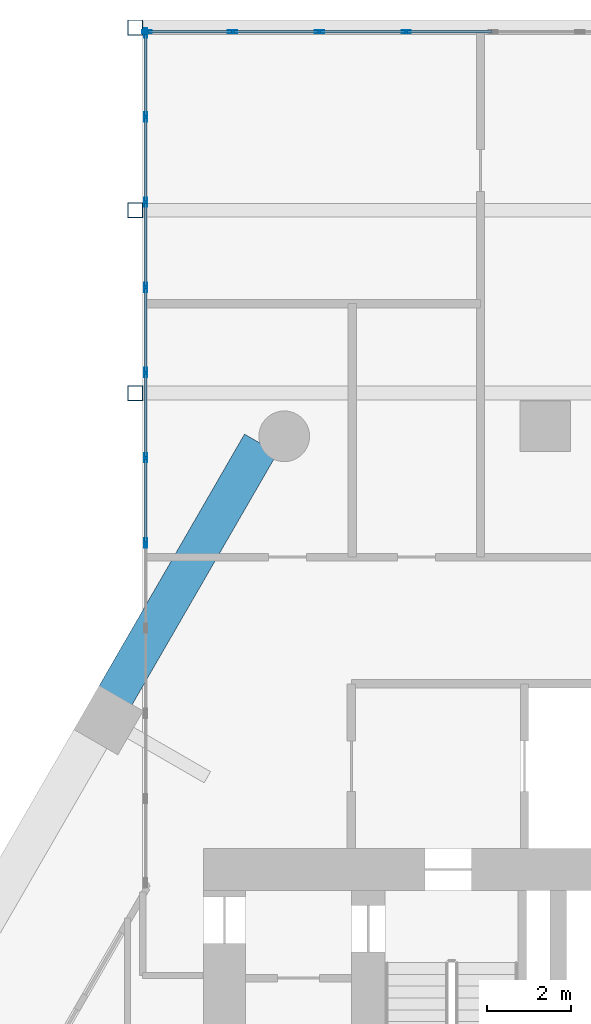
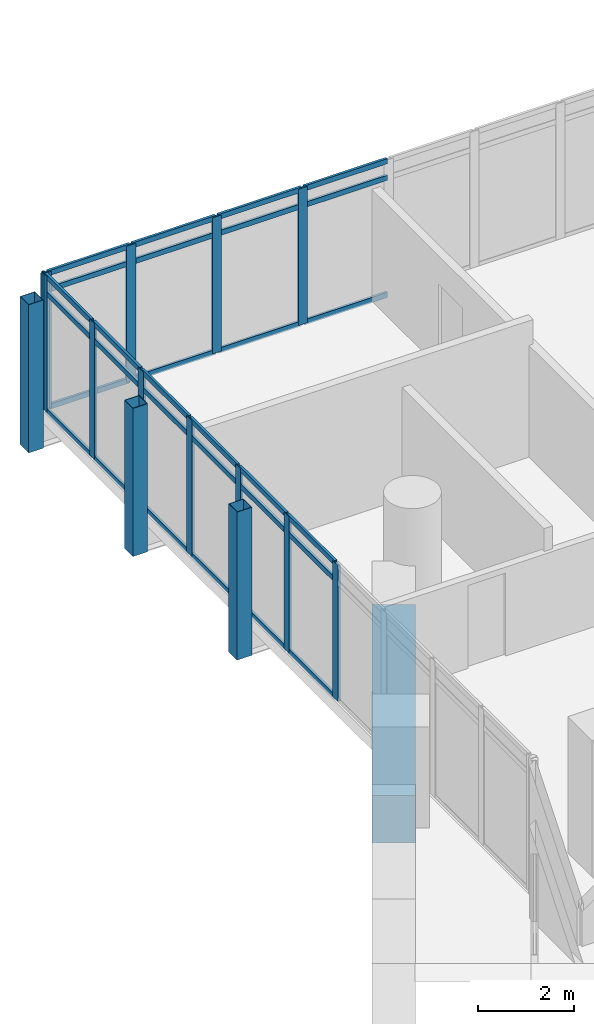
# One storey, part 13 of 28: 44 members, 1 beam, 2 elements without a shape of their own.
"""IFC4 building model written with IfcOpenShell, lengths in metres."""

from ifc_helpers import new_model, si_unit, direction, frame, origin, origin_2d, place, context, subcontext, project, spatial, rectangle, hollow_rectangle, extrude, material, material_profile, profile_set, type_object, element, aggregate, save


model = new_model("IFC4")

# Units and contexts
model_context = context("Model", 3, precision=1e-05, world=origin(), true_north=direction((0.0, 1.0)))
body_context = subcontext(model_context, "Body", "Model", "MODEL_VIEW")
ifc_project = project(units=[si_unit("LENGTHUNIT", "METRE"), si_unit("AREAUNIT", "SQUARE_METRE"), si_unit("VOLUMEUNIT", "CUBIC_METRE"), si_unit("PLANEANGLEUNIT", "RADIAN"), si_unit("MASSUNIT", "GRAM", prefix="KILO")], contexts=[model_context])

# Site, building, storey
site_placement = place(None, origin())
site = spatial("IfcSite", under=ifc_project, at=site_placement, CompositionType="ELEMENT")
building_placement = place(site_placement, origin())
building = spatial("IfcBuilding", under=site, at=building_placement, Name="Ostrander Bayou Hotel Tower", CompositionType="ELEMENT")
storey_placement = place(building_placement, frame((0.0, 0.0, 134.75)))
storey = spatial("IfcBuildingStorey", under=building, at=storey_placement, Name="L33", CompositionType="ELEMENT", Elevation=134.75)

# Curtain wall, members
ifc_material_1 = material(Name="Aluminium and clear glass", Category="aluminium")
curtain_wall_type = type_object("IfcCurtainWallType", Name="CW-BAR glazed wall", PredefinedType="NOTDEFINED", material=ifc_material_1)
curtain_wall_1_placement = place(storey_placement, origin())
curtain_wall_1 = element("IfcCurtainWall", 1, at=curtain_wall_1_placement, inside=storey, type_object=curtain_wall_type, Name="CW-BAR L33:SB3N:E", PredefinedType="NOTDEFINED")
ifc_material_2 = material(Name="Aluminium", Category="aluminium")
ifc_material_profile_1 = material_profile(ifc_material_2, hollow_rectangle(XDim=0.06005859375, YDim=0.219970703125, WallThickness=0.00390625, at=origin_2d()))
ifc_profile_set_1 = profile_set([ifc_material_profile_1], Name="Aluminium")
member_type_1 = type_object("IfcMemberType", Name="CW-BR mullion 60 x 220 mm", PredefinedType="MULLION", material=ifc_profile_set_1)
member_1_placement = place(storey_placement, frame((-13.3671875, 16.931884765625, 0.0), z_axis=(0.0, 0.0, 1.0), x_axis=(-1.0, 0.0, 0.0)))
member_1 = element("IfcMember", 2, at=member_1_placement, type_object=member_type_1, Name="CW-BAR mullion 5", PredefinedType="MULLION", context=body_context, shape_type="SweptSolid", body=[
    extrude(hollow_rectangle(XDim=0.06005859375, YDim=0.219970703125, WallThickness=0.00390625, at=origin_2d()), origin(), (0.0, 0.0, 1.0), 3.449951171875),
])
member_2_placement = place(storey_placement, frame((-13.3671875, 18.949462890625, 0.0), z_axis=(0.0, 0.0, 1.0), x_axis=(-1.0, 0.0, 0.0)))
member_2 = element("IfcMember", 3, at=member_2_placement, type_object=member_type_1, Name="CW-BAR mullion 6", PredefinedType="MULLION", context=body_context, shape_type="SweptSolid", body=[
    extrude(hollow_rectangle(XDim=0.06005859375, YDim=0.219970703125, WallThickness=0.00390625, at=origin_2d()), origin(), (0.0, 0.0, 1.0), 3.449951171875),
])
member_3_placement = place(storey_placement, frame((-13.3671875, 20.967041015625, 0.0), z_axis=(0.0, 0.0, 1.0), x_axis=(-1.0, 0.0, 0.0)))
member_3 = element("IfcMember", 4, at=member_3_placement, type_object=member_type_1, Name="CW-BAR mullion 7", PredefinedType="MULLION", context=body_context, shape_type="SweptSolid", body=[
    extrude(hollow_rectangle(XDim=0.06005859375, YDim=0.219970703125, WallThickness=0.00390625, at=origin_2d()), origin(), (0.0, 0.0, 1.0), 3.449951171875),
])
member_4_placement = place(storey_placement, frame((-13.3671875, 22.984375, 0.0), z_axis=(0.0, 0.0, 1.0), x_axis=(-1.0, 0.0, 0.0)))
member_4 = element("IfcMember", 5, at=member_4_placement, type_object=member_type_1, Name="CW-BAR mullion 8", PredefinedType="MULLION", context=body_context, shape_type="SweptSolid", body=[
    extrude(hollow_rectangle(XDim=0.06005859375, YDim=0.219970703125, WallThickness=0.00390625, at=origin_2d()), origin(), (0.0, 0.0, 1.0), 3.449951171875),
])
member_5_placement = place(storey_placement, frame((-13.3671875, 25.001953125, 0.0), z_axis=(0.0, 0.0, 1.0), x_axis=(-1.0, 0.0, 0.0)))
member_5 = element("IfcMember", 6, at=member_5_placement, type_object=member_type_1, Name="CW-BAR mullion 9", PredefinedType="MULLION", context=body_context, shape_type="SweptSolid", body=[
    extrude(hollow_rectangle(XDim=0.06005859375, YDim=0.219970703125, WallThickness=0.00390625, at=origin_2d()), origin(), (0.0, 0.0, 1.0), 3.449951171875),
])
member_6_placement = place(storey_placement, frame((-13.3671875, 27.01953125, 0.0), z_axis=(0.0, 0.0, 1.0), x_axis=(-1.0, 0.0, 0.0)))
member_6 = element("IfcMember", 7, at=member_6_placement, type_object=member_type_1, Name="CW-BAR mullion 10", PredefinedType="MULLION", context=body_context, shape_type="SweptSolid", body=[
    extrude(hollow_rectangle(XDim=0.06005859375, YDim=0.219970703125, WallThickness=0.00390625, at=origin_2d()), origin(), (0.0, 0.0, 1.0), 3.449951171875),
])
member_7_placement = place(storey_placement, frame((-13.3671875, 29.007080078125, 0.0), z_axis=(0.0, 0.0, 1.0), x_axis=(-1.0, 0.0, 0.0)))
member_7 = element("IfcMember", 8, at=member_7_placement, type_object=member_type_1, Name="CW-BAR mullion 11", PredefinedType="MULLION", context=body_context, shape_type="SweptSolid", body=[
    extrude(hollow_rectangle(XDim=0.06005859375, YDim=0.219970703125, WallThickness=0.00390625, at=origin_2d()), origin(), (0.0, 0.0, 1.0), 3.449951171875),
])

curtain_wall_2_placement = place(storey_placement, origin())
curtain_wall_2 = element("IfcCurtainWall", 9, at=curtain_wall_2_placement, inside=storey, type_object=curtain_wall_type, Name="CW-BAR L33:SB3N:T", PredefinedType="NOTDEFINED")
member_8_placement = place(storey_placement, frame((-13.337158203125, 29.037109375, 0.0), z_axis=(0.0, 0.0, 1.0), x_axis=(0.0, 1.0, 0.0)))
member_8 = element("IfcMember", 10, at=member_8_placement, type_object=member_type_1, Name="CW-BAR mullion 1", PredefinedType="MULLION", context=body_context, shape_type="SweptSolid", body=[
    extrude(hollow_rectangle(XDim=0.06005859375, YDim=0.219970703125, WallThickness=0.00390625, at=origin_2d()), origin(), (0.0, 0.0, 1.0), 3.449951171875),
])
member_9_placement = place(storey_placement, frame((-11.310791015625, 29.037109375, 0.0), z_axis=(0.0, 0.0, 1.0), x_axis=(0.0, 1.0, 0.0)))
member_9 = element("IfcMember", 11, at=member_9_placement, type_object=member_type_1, Name="CW-BAR mullion 2", PredefinedType="MULLION", context=body_context, shape_type="SweptSolid", body=[
    extrude(hollow_rectangle(XDim=0.06005859375, YDim=0.219970703125, WallThickness=0.00390625, at=origin_2d()), origin(), (0.0, 0.0, 1.0), 3.449951171875),
])
member_10_placement = place(storey_placement, frame((-9.254150390625, 29.037109375, 0.0), z_axis=(0.0, 0.0, 1.0), x_axis=(0.0, 1.0, 0.0)))
member_10 = element("IfcMember", 12, at=member_10_placement, type_object=member_type_1, Name="CW-BAR mullion 3", PredefinedType="MULLION", context=body_context, shape_type="SweptSolid", body=[
    extrude(hollow_rectangle(XDim=0.06005859375, YDim=0.219970703125, WallThickness=0.00390625, at=origin_2d()), origin(), (0.0, 0.0, 1.0), 3.449951171875),
])
member_11_placement = place(storey_placement, frame((-7.19775390625, 29.037109375, 0.0), z_axis=(0.0, 0.0, 1.0), x_axis=(0.0, 1.0, 0.0)))
member_11 = element("IfcMember", 13, at=member_11_placement, type_object=member_type_1, Name="CW-BAR mullion 4", PredefinedType="MULLION", context=body_context, shape_type="SweptSolid", body=[
    extrude(hollow_rectangle(XDim=0.06005859375, YDim=0.219970703125, WallThickness=0.00390625, at=origin_2d()), origin(), (0.0, 0.0, 1.0), 3.449951171875),
])

# Member
ifc_material_3 = material(Name="Aluminium", Category="aluminium")
ifc_material_profile_2 = material_profile(ifc_material_3, hollow_rectangle(XDim=0.06005859375, YDim=0.1298828125, WallThickness=0.00390625, at=origin_2d()))
ifc_profile_set_2 = profile_set([ifc_material_profile_2], Name="Aluminium")
member_type_2 = type_object("IfcMemberType", Name="CW-BR transom 60 x 130 mm", PredefinedType="USERDEFINED", material=ifc_profile_set_2)
member_12_placement = place(storey_placement, frame((-13.3671875, 16.9619140625, 0.030029296875), z_axis=(0.0, 1.0, 0.0), x_axis=(-1.0, 0.0, 0.0)))
member_12 = element("IfcMember", 14, at=member_12_placement, type_object=member_type_2, Name="CW-BAR transom 5.1", ObjectType="TRANSOM", PredefinedType="USERDEFINED", context=body_context, shape_type="SweptSolid", body=[
    extrude(hollow_rectangle(XDim=0.06005859375, YDim=0.1298828125, WallThickness=0.00390625, at=origin_2d()), origin(), (0.0, 0.0, 1.0), 1.95751953125),
])

member_13_placement = place(storey_placement, frame((-13.3671875, 16.9619140625, 3.0), z_axis=(0.0, 1.0, 0.0), x_axis=(-1.0, 0.0, 0.0)))
member_13 = element("IfcMember", 15, at=member_13_placement, type_object=member_type_2, Name="CW-BAR transom 5.2", ObjectType="TRANSOM", PredefinedType="USERDEFINED", context=body_context, shape_type="SweptSolid", body=[
    extrude(hollow_rectangle(XDim=0.06005859375, YDim=0.1298828125, WallThickness=0.00390625, at=origin_2d()), origin(), (0.0, 0.0, 1.0), 1.95751953125),
])

member_14_placement = place(storey_placement, frame((-13.3671875, 16.9619140625, 3.419921875), z_axis=(0.0, 1.0, 0.0), x_axis=(-1.0, 0.0, 0.0)))
member_14 = element("IfcMember", 16, at=member_14_placement, type_object=member_type_2, Name="CW-BAR transom 5.3", ObjectType="TRANSOM", PredefinedType="USERDEFINED", context=body_context, shape_type="SweptSolid", body=[
    extrude(hollow_rectangle(XDim=0.06005859375, YDim=0.1298828125, WallThickness=0.00390625, at=origin_2d()), origin(), (0.0, 0.0, 1.0), 1.95751953125),
])

member_15_placement = place(storey_placement, frame((-13.3671875, 18.9794921875, 0.030029296875), z_axis=(0.0, 1.0, 0.0), x_axis=(-1.0, 0.0, 0.0)))
member_15 = element("IfcMember", 17, at=member_15_placement, type_object=member_type_2, Name="CW-BAR transom 6.1", ObjectType="TRANSOM", PredefinedType="USERDEFINED", context=body_context, shape_type="SweptSolid", body=[
    extrude(hollow_rectangle(XDim=0.06005859375, YDim=0.1298828125, WallThickness=0.00390625, at=origin_2d()), origin(), (0.0, 0.0, 1.0), 1.95751953125),
])

member_16_placement = place(storey_placement, frame((-13.3671875, 18.9794921875, 3.0), z_axis=(0.0, 1.0, 0.0), x_axis=(-1.0, 0.0, 0.0)))
member_16 = element("IfcMember", 18, at=member_16_placement, type_object=member_type_2, Name="CW-BAR transom 6.2", ObjectType="TRANSOM", PredefinedType="USERDEFINED", context=body_context, shape_type="SweptSolid", body=[
    extrude(hollow_rectangle(XDim=0.06005859375, YDim=0.1298828125, WallThickness=0.00390625, at=origin_2d()), origin(), (0.0, 0.0, 1.0), 1.95751953125),
])

member_17_placement = place(storey_placement, frame((-13.3671875, 18.9794921875, 3.419921875), z_axis=(0.0, 1.0, 0.0), x_axis=(-1.0, 0.0, 0.0)))
member_17 = element("IfcMember", 19, at=member_17_placement, type_object=member_type_2, Name="CW-BAR transom 6.3", ObjectType="TRANSOM", PredefinedType="USERDEFINED", context=body_context, shape_type="SweptSolid", body=[
    extrude(hollow_rectangle(XDim=0.06005859375, YDim=0.1298828125, WallThickness=0.00390625, at=origin_2d()), origin(), (0.0, 0.0, 1.0), 1.95751953125),
])

member_18_placement = place(storey_placement, frame((-13.3671875, 20.996826171875, 0.030029296875), z_axis=(0.0, 1.0, 0.0), x_axis=(-1.0, 0.0, 0.0)))
member_18 = element("IfcMember", 20, at=member_18_placement, type_object=member_type_2, Name="CW-BAR transom 7.1", ObjectType="TRANSOM", PredefinedType="USERDEFINED", context=body_context, shape_type="SweptSolid", body=[
    extrude(hollow_rectangle(XDim=0.06005859375, YDim=0.1298828125, WallThickness=0.00390625, at=origin_2d()), origin(), (0.0, 0.0, 1.0), 1.957763671875),
])

member_19_placement = place(storey_placement, frame((-13.3671875, 20.996826171875, 3.0), z_axis=(0.0, 1.0, 0.0), x_axis=(-1.0, 0.0, 0.0)))
member_19 = element("IfcMember", 21, at=member_19_placement, type_object=member_type_2, Name="CW-BAR transom 7.2", ObjectType="TRANSOM", PredefinedType="USERDEFINED", context=body_context, shape_type="SweptSolid", body=[
    extrude(hollow_rectangle(XDim=0.06005859375, YDim=0.1298828125, WallThickness=0.00390625, at=origin_2d()), origin(), (0.0, 0.0, 1.0), 1.957763671875),
])

member_20_placement = place(storey_placement, frame((-13.3671875, 20.996826171875, 3.419921875), z_axis=(0.0, 1.0, 0.0), x_axis=(-1.0, 0.0, 0.0)))
member_20 = element("IfcMember", 22, at=member_20_placement, type_object=member_type_2, Name="CW-BAR transom 7.3", ObjectType="TRANSOM", PredefinedType="USERDEFINED", context=body_context, shape_type="SweptSolid", body=[
    extrude(hollow_rectangle(XDim=0.06005859375, YDim=0.1298828125, WallThickness=0.00390625, at=origin_2d()), origin(), (0.0, 0.0, 1.0), 1.957763671875),
])

member_21_placement = place(storey_placement, frame((-13.3671875, 23.014404296875, 0.030029296875), z_axis=(0.0, 1.0, 0.0), x_axis=(-1.0, 0.0, 0.0)))
member_21 = element("IfcMember", 23, at=member_21_placement, type_object=member_type_2, Name="CW-BAR transom 8.1", ObjectType="TRANSOM", PredefinedType="USERDEFINED", context=body_context, shape_type="SweptSolid", body=[
    extrude(hollow_rectangle(XDim=0.06005859375, YDim=0.1298828125, WallThickness=0.00390625, at=origin_2d()), origin(), (0.0, 0.0, 1.0), 1.95751953125),
])

member_22_placement = place(storey_placement, frame((-13.3671875, 23.014404296875, 3.0), z_axis=(0.0, 1.0, 0.0), x_axis=(-1.0, 0.0, 0.0)))
member_22 = element("IfcMember", 24, at=member_22_placement, type_object=member_type_2, Name="CW-BAR transom 8.2", ObjectType="TRANSOM", PredefinedType="USERDEFINED", context=body_context, shape_type="SweptSolid", body=[
    extrude(hollow_rectangle(XDim=0.06005859375, YDim=0.1298828125, WallThickness=0.00390625, at=origin_2d()), origin(), (0.0, 0.0, 1.0), 1.95751953125),
])

member_23_placement = place(storey_placement, frame((-13.3671875, 23.014404296875, 3.419921875), z_axis=(0.0, 1.0, 0.0), x_axis=(-1.0, 0.0, 0.0)))
member_23 = element("IfcMember", 25, at=member_23_placement, type_object=member_type_2, Name="CW-BAR transom 8.3", ObjectType="TRANSOM", PredefinedType="USERDEFINED", context=body_context, shape_type="SweptSolid", body=[
    extrude(hollow_rectangle(XDim=0.06005859375, YDim=0.1298828125, WallThickness=0.00390625, at=origin_2d()), origin(), (0.0, 0.0, 1.0), 1.95751953125),
])

member_24_placement = place(storey_placement, frame((-13.3671875, 25.031982421875, 0.030029296875), z_axis=(0.0, 1.0, 0.0), x_axis=(-1.0, 0.0, 0.0)))
member_24 = element("IfcMember", 26, at=member_24_placement, type_object=member_type_2, Name="CW-BAR transom 9.1", ObjectType="TRANSOM", PredefinedType="USERDEFINED", context=body_context, shape_type="SweptSolid", body=[
    extrude(hollow_rectangle(XDim=0.06005859375, YDim=0.1298828125, WallThickness=0.00390625, at=origin_2d()), origin(), (0.0, 0.0, 1.0), 1.95751953125),
])

member_25_placement = place(storey_placement, frame((-13.3671875, 25.031982421875, 3.0), z_axis=(0.0, 1.0, 0.0), x_axis=(-1.0, 0.0, 0.0)))
member_25 = element("IfcMember", 27, at=member_25_placement, type_object=member_type_2, Name="CW-BAR transom 9.2", ObjectType="TRANSOM", PredefinedType="USERDEFINED", context=body_context, shape_type="SweptSolid", body=[
    extrude(hollow_rectangle(XDim=0.06005859375, YDim=0.1298828125, WallThickness=0.00390625, at=origin_2d()), origin(), (0.0, 0.0, 1.0), 1.95751953125),
])

member_26_placement = place(storey_placement, frame((-13.3671875, 25.031982421875, 3.419921875), z_axis=(0.0, 1.0, 0.0), x_axis=(-1.0, 0.0, 0.0)))
member_26 = element("IfcMember", 28, at=member_26_placement, type_object=member_type_2, Name="CW-BAR transom 9.3", ObjectType="TRANSOM", PredefinedType="USERDEFINED", context=body_context, shape_type="SweptSolid", body=[
    extrude(hollow_rectangle(XDim=0.06005859375, YDim=0.1298828125, WallThickness=0.00390625, at=origin_2d()), origin(), (0.0, 0.0, 1.0), 1.95751953125),
])

member_27_placement = place(storey_placement, frame((-13.3671875, 27.049560546875, 0.030029296875), z_axis=(0.0, 1.0, 0.0), x_axis=(-1.0, 0.0, 0.0)))
member_27 = element("IfcMember", 29, at=member_27_placement, type_object=member_type_2, Name="CW-BAR transom 10.1", ObjectType="TRANSOM", PredefinedType="USERDEFINED", context=body_context, shape_type="SweptSolid", body=[
    extrude(hollow_rectangle(XDim=0.06005859375, YDim=0.1298828125, WallThickness=0.00390625, at=origin_2d()), origin(), (0.0, 0.0, 1.0), 1.927490234375),
])

member_28_placement = place(storey_placement, frame((-13.3671875, 27.049560546875, 3.0), z_axis=(0.0, 1.0, 0.0), x_axis=(-1.0, 0.0, 0.0)))
member_28 = element("IfcMember", 30, at=member_28_placement, type_object=member_type_2, Name="CW-BAR transom 10.2", ObjectType="TRANSOM", PredefinedType="USERDEFINED", context=body_context, shape_type="SweptSolid", body=[
    extrude(hollow_rectangle(XDim=0.06005859375, YDim=0.1298828125, WallThickness=0.00390625, at=origin_2d()), origin(), (0.0, 0.0, 1.0), 1.927490234375),
])

member_29_placement = place(storey_placement, frame((-13.3671875, 27.049560546875, 3.419921875), z_axis=(0.0, 1.0, 0.0), x_axis=(-1.0, 0.0, 0.0)))
member_29 = element("IfcMember", 31, at=member_29_placement, type_object=member_type_2, Name="CW-BAR transom 10.3", ObjectType="TRANSOM", PredefinedType="USERDEFINED", context=body_context, shape_type="SweptSolid", body=[
    extrude(hollow_rectangle(XDim=0.06005859375, YDim=0.1298828125, WallThickness=0.00390625, at=origin_2d()), origin(), (0.0, 0.0, 1.0), 1.927490234375),
])

aggregate(curtain_wall_1, [member_1, member_2, member_3, member_4, member_5, member_6, member_7, member_12, member_13, member_14, member_15, member_16, member_17, member_18, member_19, member_20, member_21, member_22, member_23, member_24, member_25, member_26, member_27, member_28, member_29])

member_30_placement = place(storey_placement, frame((-13.30712890625, 29.037109375, 0.030029296875), z_axis=(1.0, 0.0, 0.0), x_axis=(0.0, 1.0, 0.0)))
member_30 = element("IfcMember", 32, at=member_30_placement, type_object=member_type_2, Name="CW-BAR transom 1.1", ObjectType="TRANSOM", PredefinedType="USERDEFINED", context=body_context, shape_type="SweptSolid", body=[
    extrude(hollow_rectangle(XDim=0.06005859375, YDim=0.1298828125, WallThickness=0.00390625, at=origin_2d()), origin(), (0.0, 0.0, 1.0), 1.96630859375),
])

member_31_placement = place(storey_placement, frame((-13.30712890625, 29.037109375, 3.0), z_axis=(1.0, 0.0, 0.0), x_axis=(0.0, 1.0, 0.0)))
member_31 = element("IfcMember", 33, at=member_31_placement, type_object=member_type_2, Name="CW-BAR transom 1.2", ObjectType="TRANSOM", PredefinedType="USERDEFINED", context=body_context, shape_type="SweptSolid", body=[
    extrude(hollow_rectangle(XDim=0.06005859375, YDim=0.1298828125, WallThickness=0.00390625, at=origin_2d()), origin(), (0.0, 0.0, 1.0), 1.96630859375),
])

member_32_placement = place(storey_placement, frame((-13.30712890625, 29.037109375, 3.419921875), z_axis=(1.0, 0.0, 0.0), x_axis=(0.0, 1.0, 0.0)))
member_32 = element("IfcMember", 34, at=member_32_placement, type_object=member_type_2, Name="CW-BAR transom 1.3", ObjectType="TRANSOM", PredefinedType="USERDEFINED", context=body_context, shape_type="SweptSolid", body=[
    extrude(hollow_rectangle(XDim=0.06005859375, YDim=0.1298828125, WallThickness=0.00390625, at=origin_2d()), origin(), (0.0, 0.0, 1.0), 1.96630859375),
])

member_33_placement = place(storey_placement, frame((-11.28076171875, 29.037109375, 0.030029296875), z_axis=(1.0, 0.0, 0.0), x_axis=(0.0, 1.0, 0.0)))
member_33 = element("IfcMember", 35, at=member_33_placement, type_object=member_type_2, Name="CW-BAR transom 2.1", ObjectType="TRANSOM", PredefinedType="USERDEFINED", context=body_context, shape_type="SweptSolid", body=[
    extrude(hollow_rectangle(XDim=0.06005859375, YDim=0.1298828125, WallThickness=0.00390625, at=origin_2d()), origin(), (0.0, 0.0, 1.0), 1.99658203125),
])

member_34_placement = place(storey_placement, frame((-11.28076171875, 29.037109375, 3.0), z_axis=(1.0, 0.0, 0.0), x_axis=(0.0, 1.0, 0.0)))
member_34 = element("IfcMember", 36, at=member_34_placement, type_object=member_type_2, Name="CW-BAR transom 2.2", ObjectType="TRANSOM", PredefinedType="USERDEFINED", context=body_context, shape_type="SweptSolid", body=[
    extrude(hollow_rectangle(XDim=0.06005859375, YDim=0.1298828125, WallThickness=0.00390625, at=origin_2d()), origin(), (0.0, 0.0, 1.0), 1.99658203125),
])

member_35_placement = place(storey_placement, frame((-11.28076171875, 29.037109375, 3.419921875), z_axis=(1.0, 0.0, 0.0), x_axis=(0.0, 1.0, 0.0)))
member_35 = element("IfcMember", 37, at=member_35_placement, type_object=member_type_2, Name="CW-BAR transom 2.3", ObjectType="TRANSOM", PredefinedType="USERDEFINED", context=body_context, shape_type="SweptSolid", body=[
    extrude(hollow_rectangle(XDim=0.06005859375, YDim=0.1298828125, WallThickness=0.00390625, at=origin_2d()), origin(), (0.0, 0.0, 1.0), 1.99658203125),
])

member_36_placement = place(storey_placement, frame((-9.22412109375, 29.037109375, 0.030029296875), z_axis=(1.0, 0.0, 0.0), x_axis=(0.0, 1.0, 0.0)))
member_36 = element("IfcMember", 38, at=member_36_placement, type_object=member_type_2, Name="CW-BAR transom 3.1", ObjectType="TRANSOM", PredefinedType="USERDEFINED", context=body_context, shape_type="SweptSolid", body=[
    extrude(hollow_rectangle(XDim=0.06005859375, YDim=0.1298828125, WallThickness=0.00390625, at=origin_2d()), origin(), (0.0, 0.0, 1.0), 1.996337890625),
])

member_37_placement = place(storey_placement, frame((-9.22412109375, 29.037109375, 3.0), z_axis=(1.0, 0.0, 0.0), x_axis=(0.0, 1.0, 0.0)))
member_37 = element("IfcMember", 39, at=member_37_placement, type_object=member_type_2, Name="CW-BAR transom 3.2", ObjectType="TRANSOM", PredefinedType="USERDEFINED", context=body_context, shape_type="SweptSolid", body=[
    extrude(hollow_rectangle(XDim=0.06005859375, YDim=0.1298828125, WallThickness=0.00390625, at=origin_2d()), origin(), (0.0, 0.0, 1.0), 1.996337890625),
])

member_38_placement = place(storey_placement, frame((-9.22412109375, 29.037109375, 3.419921875), z_axis=(1.0, 0.0, 0.0), x_axis=(0.0, 1.0, 0.0)))
member_38 = element("IfcMember", 40, at=member_38_placement, type_object=member_type_2, Name="CW-BAR transom 3.3", ObjectType="TRANSOM", PredefinedType="USERDEFINED", context=body_context, shape_type="SweptSolid", body=[
    extrude(hollow_rectangle(XDim=0.06005859375, YDim=0.1298828125, WallThickness=0.00390625, at=origin_2d()), origin(), (0.0, 0.0, 1.0), 1.996337890625),
])

member_39_placement = place(storey_placement, frame((-7.167724609375, 29.037109375, 0.030029296875), z_axis=(1.0, 0.0, 0.0), x_axis=(0.0, 1.0, 0.0)))
member_39 = element("IfcMember", 41, at=member_39_placement, type_object=member_type_2, Name="CW-BAR transom 4.1", ObjectType="TRANSOM", PredefinedType="USERDEFINED", context=body_context, shape_type="SweptSolid", body=[
    extrude(hollow_rectangle(XDim=0.06005859375, YDim=0.1298828125, WallThickness=0.00390625, at=origin_2d()), origin(), (0.0, 0.0, 1.0), 1.99658203125),
])

member_40_placement = place(storey_placement, frame((-7.167724609375, 29.037109375, 3.0), z_axis=(1.0, 0.0, 0.0), x_axis=(0.0, 1.0, 0.0)))
member_40 = element("IfcMember", 42, at=member_40_placement, type_object=member_type_2, Name="CW-BAR transom 4.2", ObjectType="TRANSOM", PredefinedType="USERDEFINED", context=body_context, shape_type="SweptSolid", body=[
    extrude(hollow_rectangle(XDim=0.06005859375, YDim=0.1298828125, WallThickness=0.00390625, at=origin_2d()), origin(), (0.0, 0.0, 1.0), 1.99658203125),
])

member_41_placement = place(storey_placement, frame((-7.167724609375, 29.037109375, 3.419921875), z_axis=(1.0, 0.0, 0.0), x_axis=(0.0, 1.0, 0.0)))
member_41 = element("IfcMember", 43, at=member_41_placement, type_object=member_type_2, Name="CW-BAR transom 4.3", ObjectType="TRANSOM", PredefinedType="USERDEFINED", context=body_context, shape_type="SweptSolid", body=[
    extrude(hollow_rectangle(XDim=0.06005859375, YDim=0.1298828125, WallThickness=0.00390625, at=origin_2d()), origin(), (0.0, 0.0, 1.0), 1.99658203125),
])

aggregate(curtain_wall_2, [member_8, member_9, member_10, member_11, member_30, member_31, member_32, member_33, member_34, member_35, member_36, member_37, member_38, member_39, member_40, member_41])

# Beam
ifc_material_4 = material(Name="Concrete f'c 70 MPa", Category="concrete")
ifc_material_profile_3 = material_profile(ifc_material_4, rectangle(XDim=0.89990234375, YDim=1.199951171875, at=origin_2d()))
ifc_profile_set_3 = profile_set([ifc_material_profile_3], Name="Concrete f'c 70 MPa")
beam_type = type_object("IfcBeamType", Name="SP2 spandrel beam 900 x 1200 mm f'c 70 MPa", PredefinedType="SPANDREL", material=ifc_profile_set_3)
beam_placement = place(storey_placement, frame((-10.639404296875, 19.286376953125, -0.60009765625), z_axis=(-0.499990732016, -0.866030754592, 0.0), x_axis=(0.866030754592, -0.499990732016, 0.0)))
element("IfcBeam", 44, at=beam_placement, inside=storey, type_object=beam_type, Name="SP2 L33 NW-1", PredefinedType="SPANDREL", context=body_context, shape_type="SweptSolid", body=[
    extrude(rectangle(XDim=0.89990234375, YDim=1.199951171875, at=origin_2d()), origin(), (0.0, 0.0, 1.0), 6.906005859375),
])

# Members
ifc_material_5 = material(Name="Steel ASTM A500 Gr C", Category="steel")
ifc_material_profile_4 = material_profile(ifc_material_5, hollow_rectangle(XDim=0.355712890625, YDim=0.355712890625, WallThickness=0.01171875, at=origin_2d()))
ifc_profile_set_4 = profile_set([ifc_material_profile_4], Name="Steel ASTM A500 Gr C")
member_type_3 = type_object("IfcMemberType", Name="TH2 bar hanger HSS14x14x1/2", PredefinedType="POST", material=ifc_profile_set_4)
for number, where, z_axis, x_axis, name in (
    (45, (-13.6201171875, 29.13720703125, -0.921875), (0.0, 0.0, 1.0), (1.0, 0.0, 0.0), "TH2 SB3WA H1-2"),
    (46, (-13.6201171875, 24.809326171875, -0.921875), (0.0, 0.0, 1.0), (1.0, 0.0, 0.0), "TH2 SB3WA H2-2"),
    (47, (-13.6201171875, 20.481689453125, -0.921875), (0.0, 0.0, 1.0), (1.0, 0.0, 0.0), "TH2 SB3WA H3-2"),
):
    element("IfcMember", number, at=place(storey_placement, frame(where, z_axis=z_axis, x_axis=x_axis)), inside=storey, type_object=member_type_3, Name=name, PredefinedType="POST", context=body_context, shape_type="SweptSolid", body=[
        extrude(hollow_rectangle(XDim=0.355712890625, YDim=0.355712890625, WallThickness=0.01171875, at=origin_2d()), origin(), (0.0, 0.0, 1.0), 3.75),
    ])

save(model, "model.ifc")
